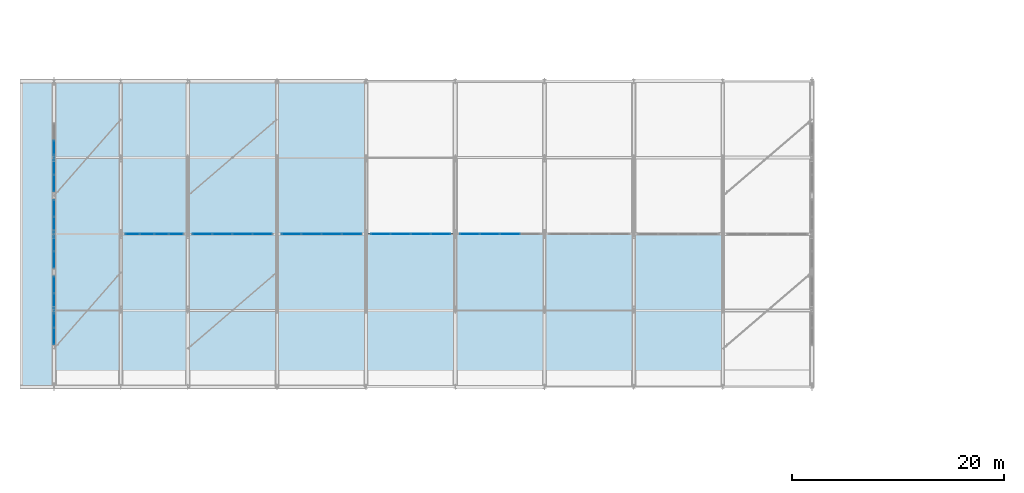
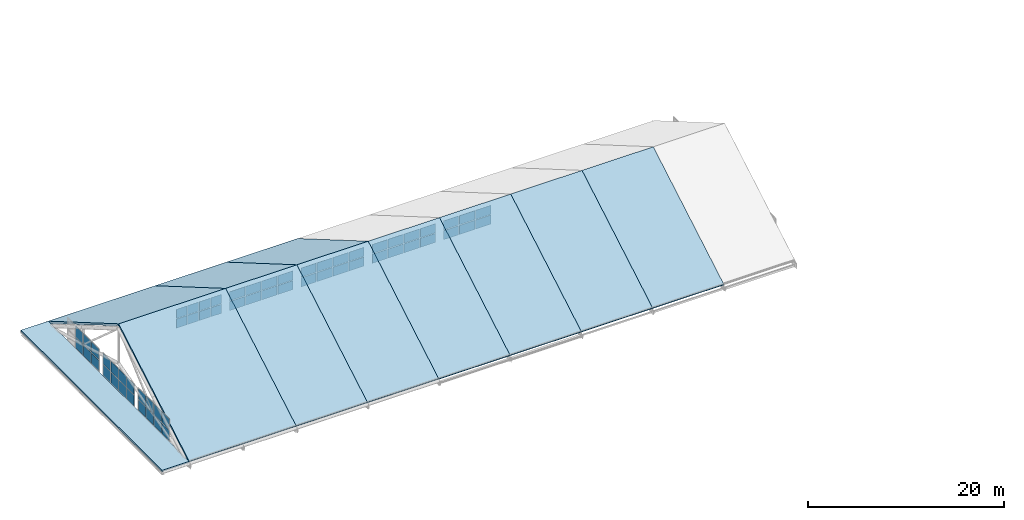
# One storey, part 38 of 54: 60 plates, 11 slabs, 8 elements without a shape of their own.
"""IFC4 building model written with IfcOpenShell, lengths in metres."""

from ifc_helpers import new_model, si_unit, direction, frame, origin, origin_2d, place, context, subcontext, project, spatial, polyline, rectangle, outline, extrude, material, layer, layer_set, type_object, element, aggregate, save


model = new_model("IFC4")

# Units and contexts
model_context = context("Model", 3, precision=1e-05, world=origin(), true_north=direction((0.0, 1.0)))
body_context = subcontext(model_context, "Body", "Model", "MODEL_VIEW")
ifc_project = project(units=[si_unit("LENGTHUNIT", "METRE"), si_unit("AREAUNIT", "SQUARE_METRE"), si_unit("VOLUMEUNIT", "CUBIC_METRE"), si_unit("PLANEANGLEUNIT", "RADIAN"), si_unit("MASSUNIT", "GRAM", prefix="KILO")], contexts=[model_context])

# Site, building, storey
site_placement = place(None, origin())
site = spatial("IfcSite", under=ifc_project, at=site_placement, CompositionType="ELEMENT")
building_placement = place(site_placement, origin())
building = spatial("IfcBuilding", under=site, at=building_placement, Name="Zulmaris Art Gallery", CompositionType="ELEMENT")
storey_placement = place(building_placement, frame((0.0, 0.0, 26.39990234375)))
storey = spatial("IfcBuildingStorey", under=building, at=storey_placement, Name="L05", CompositionType="ELEMENT", Elevation=26.39990234375)

# Curtain wall, plates
ifc_material_1 = material(Name="Pitched Roof North-Light Clerestory Wall", Category="aluminium")
ifc_layer_1 = layer(ifc_material_1, 0.179931640625)
ifc_layer_set_1 = layer_set([ifc_layer_1], Name="Pitched Roof North-Light Clerestory Wall")
curtain_wall_type = type_object("IfcCurtainWallType", Name="CW-CW05", PredefinedType="NOTDEFINED", material=ifc_layer_set_1)
curtain_wall_1_placement = place(storey_placement, origin())
curtain_wall_1 = element("IfcCurtainWall", 1, at=curtain_wall_1_placement, inside=storey, type_object=curtain_wall_type, Name="L05 curtain wall 38", PredefinedType="NOTDEFINED")
ifc_material_2 = material(Name="Triple Solar-Control Laminated Glass", Category="glass")
ifc_layer_2 = layer(ifc_material_2, 0.035888671875)
ifc_layer_set_2 = layer_set([ifc_layer_2], Name="Triple Solar-Control Laminated Glass")
plate_type = type_object("IfcPlateType", Name="CWPAN-GLZ", PredefinedType="CURTAIN_PANEL", material=ifc_layer_set_2)
plate_1_placement = place(storey_placement, frame((11.39990234375, 26.38134765625, 0.0751953125), z_axis=(0.0, 0.0, 1.0), x_axis=(0.0, 1.0, 0.0)))
plate_1 = element("IfcPlate", 2, at=plate_1_placement, type_object=plate_type, Name="CW05 panel 1.1", PredefinedType="CURTAIN_PANEL", context=body_context, shape_type="SweptSolid", body=[
    extrude(rectangle(XDim=1.512451171875, YDim=0.031982421875, at=origin_2d()), origin(), (0.0, 0.0, 1.0), 1.33740234375),
])
plate_2_placement = place(storey_placement, frame((11.39990234375, 26.38134765625, 1.487548828125), z_axis=(0.0, 0.0, 1.0), x_axis=(0.0, 1.0, 0.0)))
plate_2 = element("IfcPlate", 3, at=plate_2_placement, type_object=plate_type, Name="CW05 panel 1.2", PredefinedType="CURTAIN_PANEL", context=body_context, shape_type="SweptSolid", body=[
    extrude(rectangle(XDim=1.512451171875, YDim=0.031982421875, at=origin_2d()), origin(), (0.0, 0.0, 1.0), 1.33740234375),
])
plate_3_placement = place(storey_placement, frame((11.39990234375, 27.987548828125, 0.0751953125), z_axis=(0.0, 0.0, 1.0), x_axis=(0.0, 1.0, 0.0)))
plate_3 = element("IfcPlate", 4, at=plate_3_placement, type_object=plate_type, Name="CW05 panel 2.1", PredefinedType="CURTAIN_PANEL", context=body_context, shape_type="SweptSolid", body=[
    extrude(rectangle(XDim=1.550048828125, YDim=0.031982421875, at=origin_2d()), origin(), (0.0, 0.0, 1.0), 1.33740234375),
])
plate_4_placement = place(storey_placement, frame((11.39990234375, 27.987548828125, 1.487548828125), z_axis=(0.0, 0.0, 1.0), x_axis=(0.0, 1.0, 0.0)))
plate_4 = element("IfcPlate", 5, at=plate_4_placement, type_object=plate_type, Name="CW05 panel 2.2", PredefinedType="CURTAIN_PANEL", context=body_context, shape_type="SweptSolid", body=[
    extrude(rectangle(XDim=1.550048828125, YDim=0.031982421875, at=origin_2d()), origin(), (0.0, 0.0, 1.0), 1.33740234375),
])
plate_5_placement = place(storey_placement, frame((11.39990234375, 29.612548828125, 0.0751953125), z_axis=(0.0, 0.0, 1.0), x_axis=(0.0, 1.0, 0.0)))
plate_5 = element("IfcPlate", 6, at=plate_5_placement, type_object=plate_type, Name="CW05 panel 3.1", PredefinedType="CURTAIN_PANEL", context=body_context, shape_type="SweptSolid", body=[
    extrude(rectangle(XDim=1.550048828125, YDim=0.031982421875, at=origin_2d()), origin(), (0.0, 0.0, 1.0), 1.33740234375),
])
plate_6_placement = place(storey_placement, frame((11.39990234375, 29.612548828125, 1.487548828125), z_axis=(0.0, 0.0, 1.0), x_axis=(0.0, 1.0, 0.0)))
plate_6 = element("IfcPlate", 7, at=plate_6_placement, type_object=plate_type, Name="CW05 panel 3.2", PredefinedType="CURTAIN_PANEL", context=body_context, shape_type="SweptSolid", body=[
    extrude(rectangle(XDim=1.550048828125, YDim=0.031982421875, at=origin_2d()), origin(), (0.0, 0.0, 1.0), 1.33740234375),
])
plate_7_placement = place(storey_placement, frame((11.39990234375, 31.21875, 0.0751953125), z_axis=(0.0, 0.0, 1.0), x_axis=(0.0, 1.0, 0.0)))
plate_7 = element("IfcPlate", 8, at=plate_7_placement, type_object=plate_type, Name="CW05 panel 4.1", PredefinedType="CURTAIN_PANEL", context=body_context, shape_type="SweptSolid", body=[
    extrude(rectangle(XDim=1.512451171875, YDim=0.031982421875, at=origin_2d()), origin(), (0.0, 0.0, 1.0), 1.33740234375),
])
plate_8_placement = place(storey_placement, frame((11.39990234375, 31.21875, 1.487548828125), z_axis=(0.0, 0.0, 1.0), x_axis=(0.0, 1.0, 0.0)))
plate_8 = element("IfcPlate", 9, at=plate_8_placement, type_object=plate_type, Name="CW05 panel 4.2", PredefinedType="CURTAIN_PANEL", context=body_context, shape_type="SweptSolid", body=[
    extrude(rectangle(XDim=1.512451171875, YDim=0.031982421875, at=origin_2d()), origin(), (0.0, 0.0, 1.0), 1.33740234375),
])
aggregate(curtain_wall_1, [plate_1, plate_2, plate_3, plate_4, plate_5, plate_6, plate_7, plate_8])

curtain_wall_2_placement = place(storey_placement, origin())
curtain_wall_2 = element("IfcCurtainWall", 10, at=curtain_wall_2_placement, inside=storey, type_object=curtain_wall_type, Name="L05 curtain wall 39", PredefinedType="NOTDEFINED")
plate_9_placement = place(storey_placement, frame((11.39990234375, 33.581298828125, 0.0751953125), z_axis=(0.0, 0.0, 1.0), x_axis=(0.0, 1.0, 0.0)))
plate_9 = element("IfcPlate", 11, at=plate_9_placement, type_object=plate_type, Name="CW05 panel 1.1", PredefinedType="CURTAIN_PANEL", context=body_context, shape_type="SweptSolid", body=[
    extrude(rectangle(XDim=1.512451171875, YDim=0.031982421875, at=origin_2d()), origin(), (0.0, 0.0, 1.0), 1.33740234375),
])
plate_10_placement = place(storey_placement, frame((11.39990234375, 33.581298828125, 1.487548828125), z_axis=(0.0, 0.0, 1.0), x_axis=(0.0, 1.0, 0.0)))
plate_10 = element("IfcPlate", 12, at=plate_10_placement, type_object=plate_type, Name="CW05 panel 1.2", PredefinedType="CURTAIN_PANEL", context=body_context, shape_type="SweptSolid", body=[
    extrude(rectangle(XDim=1.512451171875, YDim=0.031982421875, at=origin_2d()), origin(), (0.0, 0.0, 1.0), 1.33740234375),
])
plate_11_placement = place(storey_placement, frame((11.39990234375, 35.1875, 0.0751953125), z_axis=(0.0, 0.0, 1.0), x_axis=(0.0, 1.0, 0.0)))
plate_11 = element("IfcPlate", 13, at=plate_11_placement, type_object=plate_type, Name="CW05 panel 2.1", PredefinedType="CURTAIN_PANEL", context=body_context, shape_type="SweptSolid", body=[
    extrude(rectangle(XDim=1.550048828125, YDim=0.031982421875, at=origin_2d()), origin(), (0.0, 0.0, 1.0), 1.33740234375),
])
plate_12_placement = place(storey_placement, frame((11.39990234375, 35.1875, 1.487548828125), z_axis=(0.0, 0.0, 1.0), x_axis=(0.0, 1.0, 0.0)))
plate_12 = element("IfcPlate", 14, at=plate_12_placement, type_object=plate_type, Name="CW05 panel 2.2", PredefinedType="CURTAIN_PANEL", context=body_context, shape_type="SweptSolid", body=[
    extrude(rectangle(XDim=1.550048828125, YDim=0.031982421875, at=origin_2d()), origin(), (0.0, 0.0, 1.0), 1.33740234375),
])
plate_13_placement = place(storey_placement, frame((11.39990234375, 36.8125, 0.0751953125), z_axis=(0.0, 0.0, 1.0), x_axis=(0.0, 1.0, 0.0)))
plate_13 = element("IfcPlate", 15, at=plate_13_placement, type_object=plate_type, Name="CW05 panel 3.1", PredefinedType="CURTAIN_PANEL", context=body_context, shape_type="SweptSolid", body=[
    extrude(rectangle(XDim=1.550048828125, YDim=0.031982421875, at=origin_2d()), origin(), (0.0, 0.0, 1.0), 1.33740234375),
])
plate_14_placement = place(storey_placement, frame((11.39990234375, 36.8125, 1.487548828125), z_axis=(0.0, 0.0, 1.0), x_axis=(0.0, 1.0, 0.0)))
plate_14 = element("IfcPlate", 16, at=plate_14_placement, type_object=plate_type, Name="CW05 panel 3.2", PredefinedType="CURTAIN_PANEL", context=body_context, shape_type="SweptSolid", body=[
    extrude(rectangle(XDim=1.550048828125, YDim=0.031982421875, at=origin_2d()), origin(), (0.0, 0.0, 1.0), 1.33740234375),
])
plate_15_placement = place(storey_placement, frame((11.39990234375, 38.418701171875, 0.0751953125), z_axis=(0.0, 0.0, 1.0), x_axis=(0.0, 1.0, 0.0)))
plate_15 = element("IfcPlate", 17, at=plate_15_placement, type_object=plate_type, Name="CW05 panel 4.1", PredefinedType="CURTAIN_PANEL", context=body_context, shape_type="SweptSolid", body=[
    extrude(rectangle(XDim=1.512451171875, YDim=0.031982421875, at=origin_2d()), origin(), (0.0, 0.0, 1.0), 1.33740234375),
])
plate_16_placement = place(storey_placement, frame((11.39990234375, 38.418701171875, 1.487548828125), z_axis=(0.0, 0.0, 1.0), x_axis=(0.0, 1.0, 0.0)))
plate_16 = element("IfcPlate", 18, at=plate_16_placement, type_object=plate_type, Name="CW05 panel 4.2", PredefinedType="CURTAIN_PANEL", context=body_context, shape_type="SweptSolid", body=[
    extrude(rectangle(XDim=1.512451171875, YDim=0.031982421875, at=origin_2d()), origin(), (0.0, 0.0, 1.0), 1.33740234375),
])
aggregate(curtain_wall_2, [plate_9, plate_10, plate_11, plate_12, plate_13, plate_14, plate_15, plate_16])

curtain_wall_3_placement = place(storey_placement, origin())
curtain_wall_3 = element("IfcCurtainWall", 19, at=curtain_wall_3_placement, inside=storey, type_object=curtain_wall_type, Name="L05 curtain wall 40", PredefinedType="NOTDEFINED")
plate_17_placement = place(storey_placement, frame((11.39990234375, 40.78125, 0.0751953125), z_axis=(0.0, 0.0, 1.0), x_axis=(0.0, 1.0, 0.0)))
plate_17 = element("IfcPlate", 20, at=plate_17_placement, type_object=plate_type, Name="CW05 panel 1.1", PredefinedType="CURTAIN_PANEL", context=body_context, shape_type="SweptSolid", body=[
    extrude(rectangle(XDim=1.512451171875, YDim=0.031982421875, at=origin_2d()), origin(), (0.0, 0.0, 1.0), 1.33740234375),
])
plate_18_placement = place(storey_placement, frame((11.39990234375, 40.78125, 1.487548828125), z_axis=(0.0, 0.0, 1.0), x_axis=(0.0, 1.0, 0.0)))
plate_18 = element("IfcPlate", 21, at=plate_18_placement, type_object=plate_type, Name="CW05 panel 1.2", PredefinedType="CURTAIN_PANEL", context=body_context, shape_type="SweptSolid", body=[
    extrude(rectangle(XDim=1.512451171875, YDim=0.031982421875, at=origin_2d()), origin(), (0.0, 0.0, 1.0), 1.33740234375),
])
plate_19_placement = place(storey_placement, frame((11.39990234375, 42.387451171875, 0.0751953125), z_axis=(0.0, 0.0, 1.0), x_axis=(0.0, 1.0, 0.0)))
plate_19 = element("IfcPlate", 22, at=plate_19_placement, type_object=plate_type, Name="CW05 panel 2.1", PredefinedType="CURTAIN_PANEL", context=body_context, shape_type="SweptSolid", body=[
    extrude(rectangle(XDim=1.550048828125, YDim=0.031982421875, at=origin_2d()), origin(), (0.0, 0.0, 1.0), 1.33740234375),
])
plate_20_placement = place(storey_placement, frame((11.39990234375, 42.387451171875, 1.487548828125), z_axis=(0.0, 0.0, 1.0), x_axis=(0.0, 1.0, 0.0)))
plate_20 = element("IfcPlate", 23, at=plate_20_placement, type_object=plate_type, Name="CW05 panel 2.2", PredefinedType="CURTAIN_PANEL", context=body_context, shape_type="SweptSolid", body=[
    extrude(rectangle(XDim=1.550048828125, YDim=0.031982421875, at=origin_2d()), origin(), (0.0, 0.0, 1.0), 1.33740234375),
])
plate_21_placement = place(storey_placement, frame((11.39990234375, 44.012451171875, 0.0751953125), z_axis=(0.0, 0.0, 1.0), x_axis=(0.0, 1.0, 0.0)))
plate_21 = element("IfcPlate", 24, at=plate_21_placement, type_object=plate_type, Name="CW05 panel 3.1", PredefinedType="CURTAIN_PANEL", context=body_context, shape_type="SweptSolid", body=[
    extrude(rectangle(XDim=1.550048828125, YDim=0.031982421875, at=origin_2d()), origin(), (0.0, 0.0, 1.0), 1.33740234375),
])
plate_22_placement = place(storey_placement, frame((11.39990234375, 44.012451171875, 1.487548828125), z_axis=(0.0, 0.0, 1.0), x_axis=(0.0, 1.0, 0.0)))
plate_22 = element("IfcPlate", 25, at=plate_22_placement, type_object=plate_type, Name="CW05 panel 3.2", PredefinedType="CURTAIN_PANEL", context=body_context, shape_type="SweptSolid", body=[
    extrude(rectangle(XDim=1.550048828125, YDim=0.031982421875, at=origin_2d()), origin(), (0.0, 0.0, 1.0), 1.33740234375),
])
aggregate(curtain_wall_3, [plate_17, plate_18, plate_19, plate_20, plate_21, plate_22])

curtain_wall_4_placement = place(storey_placement, origin())
curtain_wall_4 = element("IfcCurtainWall", 26, at=curtain_wall_4_placement, inside=storey, type_object=curtain_wall_type, Name="L05 curtain wall 44", PredefinedType="NOTDEFINED")
plate_23_placement = place(storey_placement, frame((18.80615234375, 36.0, 5.47509765625), z_axis=(0.0, 0.0, 1.0), x_axis=(1.0, 0.0, 0.0)))
plate_23 = element("IfcPlate", 27, at=plate_23_placement, type_object=plate_type, Name="CW05 panel 1.1", PredefinedType="CURTAIN_PANEL", context=body_context, shape_type="SweptSolid", body=[
    extrude(rectangle(XDim=1.262451171875, YDim=0.031982421875, at=origin_2d()), origin(), (0.0, 0.0, 1.0), 1.137451171875),
])
plate_24_placement = place(storey_placement, frame((18.80615234375, 36.0, 6.6875), z_axis=(0.0, 0.0, 1.0), x_axis=(1.0, 0.0, 0.0)))
plate_24 = element("IfcPlate", 28, at=plate_24_placement, type_object=plate_type, Name="CW05 panel 1.2", PredefinedType="CURTAIN_PANEL", context=body_context, shape_type="SweptSolid", body=[
    extrude(rectangle(XDim=1.262451171875, YDim=0.031982421875, at=origin_2d()), origin(), (0.0, 0.0, 1.0), 1.137451171875),
])
plate_25_placement = place(storey_placement, frame((20.16259765625, 36.0, 5.47509765625), z_axis=(0.0, 0.0, 1.0), x_axis=(1.0, 0.0, 0.0)))
plate_25 = element("IfcPlate", 29, at=plate_25_placement, type_object=plate_type, Name="CW05 panel 2.1", PredefinedType="CURTAIN_PANEL", context=body_context, shape_type="SweptSolid", body=[
    extrude(rectangle(XDim=1.300048828125, YDim=0.031982421875, at=origin_2d()), origin(), (0.0, 0.0, 1.0), 1.137451171875),
])
plate_26_placement = place(storey_placement, frame((20.16259765625, 36.0, 6.6875), z_axis=(0.0, 0.0, 1.0), x_axis=(1.0, 0.0, 0.0)))
plate_26 = element("IfcPlate", 30, at=plate_26_placement, type_object=plate_type, Name="CW05 panel 2.2", PredefinedType="CURTAIN_PANEL", context=body_context, shape_type="SweptSolid", body=[
    extrude(rectangle(XDim=1.300048828125, YDim=0.031982421875, at=origin_2d()), origin(), (0.0, 0.0, 1.0), 1.137451171875),
])
plate_27_placement = place(storey_placement, frame((21.53759765625, 36.0, 5.47509765625), z_axis=(0.0, 0.0, 1.0), x_axis=(1.0, 0.0, 0.0)))
plate_27 = element("IfcPlate", 31, at=plate_27_placement, type_object=plate_type, Name="CW05 panel 3.1", PredefinedType="CURTAIN_PANEL", context=body_context, shape_type="SweptSolid", body=[
    extrude(rectangle(XDim=1.300048828125, YDim=0.031982421875, at=origin_2d()), origin(), (0.0, 0.0, 1.0), 1.137451171875),
])
plate_28_placement = place(storey_placement, frame((21.53759765625, 36.0, 6.6875), z_axis=(0.0, 0.0, 1.0), x_axis=(1.0, 0.0, 0.0)))
plate_28 = element("IfcPlate", 32, at=plate_28_placement, type_object=plate_type, Name="CW05 panel 3.2", PredefinedType="CURTAIN_PANEL", context=body_context, shape_type="SweptSolid", body=[
    extrude(rectangle(XDim=1.300048828125, YDim=0.031982421875, at=origin_2d()), origin(), (0.0, 0.0, 1.0), 1.137451171875),
])
plate_29_placement = place(storey_placement, frame((22.893798828125, 36.0, 5.47509765625), z_axis=(0.0, 0.0, 1.0), x_axis=(1.0, 0.0, 0.0)))
plate_29 = element("IfcPlate", 33, at=plate_29_placement, type_object=plate_type, Name="CW05 panel 4.1", PredefinedType="CURTAIN_PANEL", context=body_context, shape_type="SweptSolid", body=[
    extrude(rectangle(XDim=1.262451171875, YDim=0.031982421875, at=origin_2d()), origin(), (0.0, 0.0, 1.0), 1.137451171875),
])
plate_30_placement = place(storey_placement, frame((22.893798828125, 36.0, 6.6875), z_axis=(0.0, 0.0, 1.0), x_axis=(1.0, 0.0, 0.0)))
plate_30 = element("IfcPlate", 34, at=plate_30_placement, type_object=plate_type, Name="CW05 panel 4.2", PredefinedType="CURTAIN_PANEL", context=body_context, shape_type="SweptSolid", body=[
    extrude(rectangle(XDim=1.262451171875, YDim=0.031982421875, at=origin_2d()), origin(), (0.0, 0.0, 1.0), 1.137451171875),
])
aggregate(curtain_wall_4, [plate_23, plate_24, plate_25, plate_26, plate_27, plate_28, plate_29, plate_30])

curtain_wall_5_placement = place(storey_placement, origin())
curtain_wall_5 = element("IfcCurtainWall", 35, at=curtain_wall_5_placement, inside=storey, type_object=curtain_wall_type, Name="L05 curtain wall 45", PredefinedType="NOTDEFINED")
plate_31_placement = place(storey_placement, frame((25.36865234375, 36.0, 5.47509765625), z_axis=(0.0, 0.0, 1.0), x_axis=(1.0, 0.0, 0.0)))
plate_31 = element("IfcPlate", 36, at=plate_31_placement, type_object=plate_type, Name="CW05 panel 1.1", PredefinedType="CURTAIN_PANEL", context=body_context, shape_type="SweptSolid", body=[
    extrude(rectangle(XDim=1.78759765625, YDim=0.031982421875, at=origin_2d()), origin(), (0.0, 0.0, 1.0), 1.137451171875),
])
plate_32_placement = place(storey_placement, frame((25.36865234375, 36.0, 6.6875), z_axis=(0.0, 0.0, 1.0), x_axis=(1.0, 0.0, 0.0)))
plate_32 = element("IfcPlate", 37, at=plate_32_placement, type_object=plate_type, Name="CW05 panel 1.2", PredefinedType="CURTAIN_PANEL", context=body_context, shape_type="SweptSolid", body=[
    extrude(rectangle(XDim=1.78759765625, YDim=0.031982421875, at=origin_2d()), origin(), (0.0, 0.0, 1.0), 1.137451171875),
])
plate_33_placement = place(storey_placement, frame((27.25, 36.0, 5.47509765625), z_axis=(0.0, 0.0, 1.0), x_axis=(1.0, 0.0, 0.0)))
plate_33 = element("IfcPlate", 38, at=plate_33_placement, type_object=plate_type, Name="CW05 panel 2.1", PredefinedType="CURTAIN_PANEL", context=body_context, shape_type="SweptSolid", body=[
    extrude(rectangle(XDim=1.824951171875, YDim=0.031982421875, at=origin_2d()), origin(), (0.0, 0.0, 1.0), 1.137451171875),
])
plate_34_placement = place(storey_placement, frame((27.25, 36.0, 6.6875), z_axis=(0.0, 0.0, 1.0), x_axis=(1.0, 0.0, 0.0)))
plate_34 = element("IfcPlate", 39, at=plate_34_placement, type_object=plate_type, Name="CW05 panel 2.2", PredefinedType="CURTAIN_PANEL", context=body_context, shape_type="SweptSolid", body=[
    extrude(rectangle(XDim=1.824951171875, YDim=0.031982421875, at=origin_2d()), origin(), (0.0, 0.0, 1.0), 1.137451171875),
])
plate_35_placement = place(storey_placement, frame((29.14990234375, 36.0, 5.47509765625), z_axis=(0.0, 0.0, 1.0), x_axis=(1.0, 0.0, 0.0)))
plate_35 = element("IfcPlate", 40, at=plate_35_placement, type_object=plate_type, Name="CW05 panel 3.1", PredefinedType="CURTAIN_PANEL", context=body_context, shape_type="SweptSolid", body=[
    extrude(rectangle(XDim=1.824951171875, YDim=0.031982421875, at=origin_2d()), origin(), (0.0, 0.0, 1.0), 1.137451171875),
])
plate_36_placement = place(storey_placement, frame((29.14990234375, 36.0, 6.6875), z_axis=(0.0, 0.0, 1.0), x_axis=(1.0, 0.0, 0.0)))
plate_36 = element("IfcPlate", 41, at=plate_36_placement, type_object=plate_type, Name="CW05 panel 3.2", PredefinedType="CURTAIN_PANEL", context=body_context, shape_type="SweptSolid", body=[
    extrude(rectangle(XDim=1.824951171875, YDim=0.031982421875, at=origin_2d()), origin(), (0.0, 0.0, 1.0), 1.137451171875),
])
plate_37_placement = place(storey_placement, frame((31.03125, 36.0, 5.47509765625), z_axis=(0.0, 0.0, 1.0), x_axis=(1.0, 0.0, 0.0)))
plate_37 = element("IfcPlate", 42, at=plate_37_placement, type_object=plate_type, Name="CW05 panel 4.1", PredefinedType="CURTAIN_PANEL", context=body_context, shape_type="SweptSolid", body=[
    extrude(rectangle(XDim=1.78759765625, YDim=0.031982421875, at=origin_2d()), origin(), (0.0, 0.0, 1.0), 1.137451171875),
])
plate_38_placement = place(storey_placement, frame((31.03125, 36.0, 6.6875), z_axis=(0.0, 0.0, 1.0), x_axis=(1.0, 0.0, 0.0)))
plate_38 = element("IfcPlate", 43, at=plate_38_placement, type_object=plate_type, Name="CW05 panel 4.2", PredefinedType="CURTAIN_PANEL", context=body_context, shape_type="SweptSolid", body=[
    extrude(rectangle(XDim=1.78759765625, YDim=0.031982421875, at=origin_2d()), origin(), (0.0, 0.0, 1.0), 1.137451171875),
])
aggregate(curtain_wall_5, [plate_31, plate_32, plate_33, plate_34, plate_35, plate_36, plate_37, plate_38])

curtain_wall_6_placement = place(storey_placement, origin())
curtain_wall_6 = element("IfcCurtainWall", 44, at=curtain_wall_6_placement, inside=storey, type_object=curtain_wall_type, Name="L05 curtain wall 46", PredefinedType="NOTDEFINED")
plate_39_placement = place(storey_placement, frame((33.768798828125, 36.0, 5.47509765625), z_axis=(0.0, 0.0, 1.0), x_axis=(1.0, 0.0, 0.0)))
plate_39 = element("IfcPlate", 45, at=plate_39_placement, type_object=plate_type, Name="CW05 panel 1.1", PredefinedType="CURTAIN_PANEL", context=body_context, shape_type="SweptSolid", body=[
    extrude(rectangle(XDim=1.78759765625, YDim=0.031982421875, at=origin_2d()), origin(), (0.0, 0.0, 1.0), 1.137451171875),
])
plate_40_placement = place(storey_placement, frame((33.768798828125, 36.0, 6.6875), z_axis=(0.0, 0.0, 1.0), x_axis=(1.0, 0.0, 0.0)))
plate_40 = element("IfcPlate", 46, at=plate_40_placement, type_object=plate_type, Name="CW05 panel 1.2", PredefinedType="CURTAIN_PANEL", context=body_context, shape_type="SweptSolid", body=[
    extrude(rectangle(XDim=1.78759765625, YDim=0.031982421875, at=origin_2d()), origin(), (0.0, 0.0, 1.0), 1.137451171875),
])
plate_41_placement = place(storey_placement, frame((35.64990234375, 36.0, 5.47509765625), z_axis=(0.0, 0.0, 1.0), x_axis=(1.0, 0.0, 0.0)))
plate_41 = element("IfcPlate", 47, at=plate_41_placement, type_object=plate_type, Name="CW05 panel 2.1", PredefinedType="CURTAIN_PANEL", context=body_context, shape_type="SweptSolid", body=[
    extrude(rectangle(XDim=1.824951171875, YDim=0.031982421875, at=origin_2d()), origin(), (0.0, 0.0, 1.0), 1.137451171875),
])
plate_42_placement = place(storey_placement, frame((35.64990234375, 36.0, 6.6875), z_axis=(0.0, 0.0, 1.0), x_axis=(1.0, 0.0, 0.0)))
plate_42 = element("IfcPlate", 48, at=plate_42_placement, type_object=plate_type, Name="CW05 panel 2.2", PredefinedType="CURTAIN_PANEL", context=body_context, shape_type="SweptSolid", body=[
    extrude(rectangle(XDim=1.824951171875, YDim=0.031982421875, at=origin_2d()), origin(), (0.0, 0.0, 1.0), 1.137451171875),
])
plate_43_placement = place(storey_placement, frame((37.550048828125, 36.0, 5.47509765625), z_axis=(0.0, 0.0, 1.0), x_axis=(1.0, 0.0, 0.0)))
plate_43 = element("IfcPlate", 49, at=plate_43_placement, type_object=plate_type, Name="CW05 panel 3.1", PredefinedType="CURTAIN_PANEL", context=body_context, shape_type="SweptSolid", body=[
    extrude(rectangle(XDim=1.824951171875, YDim=0.031982421875, at=origin_2d()), origin(), (0.0, 0.0, 1.0), 1.137451171875),
])
plate_44_placement = place(storey_placement, frame((37.550048828125, 36.0, 6.6875), z_axis=(0.0, 0.0, 1.0), x_axis=(1.0, 0.0, 0.0)))
plate_44 = element("IfcPlate", 50, at=plate_44_placement, type_object=plate_type, Name="CW05 panel 3.2", PredefinedType="CURTAIN_PANEL", context=body_context, shape_type="SweptSolid", body=[
    extrude(rectangle(XDim=1.824951171875, YDim=0.031982421875, at=origin_2d()), origin(), (0.0, 0.0, 1.0), 1.137451171875),
])
plate_45_placement = place(storey_placement, frame((39.43115234375, 36.0, 5.47509765625), z_axis=(0.0, 0.0, 1.0), x_axis=(1.0, 0.0, 0.0)))
plate_45 = element("IfcPlate", 51, at=plate_45_placement, type_object=plate_type, Name="CW05 panel 4.1", PredefinedType="CURTAIN_PANEL", context=body_context, shape_type="SweptSolid", body=[
    extrude(rectangle(XDim=1.78759765625, YDim=0.031982421875, at=origin_2d()), origin(), (0.0, 0.0, 1.0), 1.137451171875),
])
plate_46_placement = place(storey_placement, frame((39.43115234375, 36.0, 6.6875), z_axis=(0.0, 0.0, 1.0), x_axis=(1.0, 0.0, 0.0)))
plate_46 = element("IfcPlate", 52, at=plate_46_placement, type_object=plate_type, Name="CW05 panel 4.2", PredefinedType="CURTAIN_PANEL", context=body_context, shape_type="SweptSolid", body=[
    extrude(rectangle(XDim=1.78759765625, YDim=0.031982421875, at=origin_2d()), origin(), (0.0, 0.0, 1.0), 1.137451171875),
])
aggregate(curtain_wall_6, [plate_39, plate_40, plate_41, plate_42, plate_43, plate_44, plate_45, plate_46])

curtain_wall_7_placement = place(storey_placement, origin())
curtain_wall_7 = element("IfcCurtainWall", 53, at=curtain_wall_7_placement, inside=storey, type_object=curtain_wall_type, Name="L05 curtain wall 47", PredefinedType="NOTDEFINED")
plate_47_placement = place(storey_placement, frame((42.168701171875, 36.0, 5.47509765625), z_axis=(0.0, 0.0, 1.0), x_axis=(1.0, 0.0, 0.0)))
plate_47 = element("IfcPlate", 54, at=plate_47_placement, type_object=plate_type, Name="CW05 panel 1.1", PredefinedType="CURTAIN_PANEL", context=body_context, shape_type="SweptSolid", body=[
    extrude(rectangle(XDim=1.78759765625, YDim=0.031982421875, at=origin_2d()), origin(), (0.0, 0.0, 1.0), 1.137451171875),
])
plate_48_placement = place(storey_placement, frame((42.168701171875, 36.0, 6.6875), z_axis=(0.0, 0.0, 1.0), x_axis=(1.0, 0.0, 0.0)))
plate_48 = element("IfcPlate", 55, at=plate_48_placement, type_object=plate_type, Name="CW05 panel 1.2", PredefinedType="CURTAIN_PANEL", context=body_context, shape_type="SweptSolid", body=[
    extrude(rectangle(XDim=1.78759765625, YDim=0.031982421875, at=origin_2d()), origin(), (0.0, 0.0, 1.0), 1.137451171875),
])
plate_49_placement = place(storey_placement, frame((44.050048828125, 36.0, 5.47509765625), z_axis=(0.0, 0.0, 1.0), x_axis=(1.0, 0.0, 0.0)))
plate_49 = element("IfcPlate", 56, at=plate_49_placement, type_object=plate_type, Name="CW05 panel 2.1", PredefinedType="CURTAIN_PANEL", context=body_context, shape_type="SweptSolid", body=[
    extrude(rectangle(XDim=1.824951171875, YDim=0.031982421875, at=origin_2d()), origin(), (0.0, 0.0, 1.0), 1.137451171875),
])
plate_50_placement = place(storey_placement, frame((44.050048828125, 36.0, 6.6875), z_axis=(0.0, 0.0, 1.0), x_axis=(1.0, 0.0, 0.0)))
plate_50 = element("IfcPlate", 57, at=plate_50_placement, type_object=plate_type, Name="CW05 panel 2.2", PredefinedType="CURTAIN_PANEL", context=body_context, shape_type="SweptSolid", body=[
    extrude(rectangle(XDim=1.824951171875, YDim=0.031982421875, at=origin_2d()), origin(), (0.0, 0.0, 1.0), 1.137451171875),
])
plate_51_placement = place(storey_placement, frame((45.949951171875, 36.0, 5.47509765625), z_axis=(0.0, 0.0, 1.0), x_axis=(1.0, 0.0, 0.0)))
plate_51 = element("IfcPlate", 58, at=plate_51_placement, type_object=plate_type, Name="CW05 panel 3.1", PredefinedType="CURTAIN_PANEL", context=body_context, shape_type="SweptSolid", body=[
    extrude(rectangle(XDim=1.824951171875, YDim=0.031982421875, at=origin_2d()), origin(), (0.0, 0.0, 1.0), 1.137451171875),
])
plate_52_placement = place(storey_placement, frame((45.949951171875, 36.0, 6.6875), z_axis=(0.0, 0.0, 1.0), x_axis=(1.0, 0.0, 0.0)))
plate_52 = element("IfcPlate", 59, at=plate_52_placement, type_object=plate_type, Name="CW05 panel 3.2", PredefinedType="CURTAIN_PANEL", context=body_context, shape_type="SweptSolid", body=[
    extrude(rectangle(XDim=1.824951171875, YDim=0.031982421875, at=origin_2d()), origin(), (0.0, 0.0, 1.0), 1.137451171875),
])
plate_53_placement = place(storey_placement, frame((47.831298828125, 36.0, 5.47509765625), z_axis=(0.0, 0.0, 1.0), x_axis=(1.0, 0.0, 0.0)))
plate_53 = element("IfcPlate", 60, at=plate_53_placement, type_object=plate_type, Name="CW05 panel 4.1", PredefinedType="CURTAIN_PANEL", context=body_context, shape_type="SweptSolid", body=[
    extrude(rectangle(XDim=1.78759765625, YDim=0.031982421875, at=origin_2d()), origin(), (0.0, 0.0, 1.0), 1.137451171875),
])
plate_54_placement = place(storey_placement, frame((47.831298828125, 36.0, 6.6875), z_axis=(0.0, 0.0, 1.0), x_axis=(1.0, 0.0, 0.0)))
plate_54 = element("IfcPlate", 61, at=plate_54_placement, type_object=plate_type, Name="CW05 panel 4.2", PredefinedType="CURTAIN_PANEL", context=body_context, shape_type="SweptSolid", body=[
    extrude(rectangle(XDim=1.78759765625, YDim=0.031982421875, at=origin_2d()), origin(), (0.0, 0.0, 1.0), 1.137451171875),
])
aggregate(curtain_wall_7, [plate_47, plate_48, plate_49, plate_50, plate_51, plate_52, plate_53, plate_54])

curtain_wall_8_placement = place(storey_placement, origin())
curtain_wall_8 = element("IfcCurtainWall", 62, at=curtain_wall_8_placement, inside=storey, type_object=curtain_wall_type, Name="L05 curtain wall 48", PredefinedType="NOTDEFINED")
plate_55_placement = place(storey_placement, frame((50.56884765625, 36.0, 5.47509765625), z_axis=(0.0, 0.0, 1.0), x_axis=(1.0, 0.0, 0.0)))
plate_55 = element("IfcPlate", 63, at=plate_55_placement, type_object=plate_type, Name="CW05 panel 1.1", PredefinedType="CURTAIN_PANEL", context=body_context, shape_type="SweptSolid", body=[
    extrude(rectangle(XDim=1.78759765625, YDim=0.031982421875, at=origin_2d()), origin(), (0.0, 0.0, 1.0), 1.137451171875),
])
plate_56_placement = place(storey_placement, frame((50.56884765625, 36.0, 6.6875), z_axis=(0.0, 0.0, 1.0), x_axis=(1.0, 0.0, 0.0)))
plate_56 = element("IfcPlate", 64, at=plate_56_placement, type_object=plate_type, Name="CW05 panel 1.2", PredefinedType="CURTAIN_PANEL", context=body_context, shape_type="SweptSolid", body=[
    extrude(rectangle(XDim=1.78759765625, YDim=0.031982421875, at=origin_2d()), origin(), (0.0, 0.0, 1.0), 1.137451171875),
])
plate_57_placement = place(storey_placement, frame((52.449951171875, 36.0, 5.47509765625), z_axis=(0.0, 0.0, 1.0), x_axis=(1.0, 0.0, 0.0)))
plate_57 = element("IfcPlate", 65, at=plate_57_placement, type_object=plate_type, Name="CW05 panel 2.1", PredefinedType="CURTAIN_PANEL", context=body_context, shape_type="SweptSolid", body=[
    extrude(rectangle(XDim=1.824951171875, YDim=0.031982421875, at=origin_2d()), origin(), (0.0, 0.0, 1.0), 1.137451171875),
])
plate_58_placement = place(storey_placement, frame((52.449951171875, 36.0, 6.6875), z_axis=(0.0, 0.0, 1.0), x_axis=(1.0, 0.0, 0.0)))
plate_58 = element("IfcPlate", 66, at=plate_58_placement, type_object=plate_type, Name="CW05 panel 2.2", PredefinedType="CURTAIN_PANEL", context=body_context, shape_type="SweptSolid", body=[
    extrude(rectangle(XDim=1.824951171875, YDim=0.031982421875, at=origin_2d()), origin(), (0.0, 0.0, 1.0), 1.137451171875),
])
plate_59_placement = place(storey_placement, frame((54.35009765625, 36.0, 5.47509765625), z_axis=(0.0, 0.0, 1.0), x_axis=(1.0, 0.0, 0.0)))
plate_59 = element("IfcPlate", 67, at=plate_59_placement, type_object=plate_type, Name="CW05 panel 3.1", PredefinedType="CURTAIN_PANEL", context=body_context, shape_type="SweptSolid", body=[
    extrude(rectangle(XDim=1.824951171875, YDim=0.031982421875, at=origin_2d()), origin(), (0.0, 0.0, 1.0), 1.137451171875),
])
plate_60_placement = place(storey_placement, frame((54.35009765625, 36.0, 6.6875), z_axis=(0.0, 0.0, 1.0), x_axis=(1.0, 0.0, 0.0)))
plate_60 = element("IfcPlate", 68, at=plate_60_placement, type_object=plate_type, Name="CW05 panel 3.2", PredefinedType="CURTAIN_PANEL", context=body_context, shape_type="SweptSolid", body=[
    extrude(rectangle(XDim=1.824951171875, YDim=0.031982421875, at=origin_2d()), origin(), (0.0, 0.0, 1.0), 1.137451171875),
])
aggregate(curtain_wall_8, [plate_55, plate_56, plate_57, plate_58, plate_59, plate_60])

# Slabs
ifc_material_3 = material(Name="Concrete C40/50", Category="concrete")
ifc_layer_3 = layer(ifc_material_3, 0.219970703125)
ifc_layer_set_3 = layer_set([ifc_layer_3], Name="Concrete C40/50")
slab_type_1 = type_object("IfcSlabType", Name="SLAB-SL-RF02", PredefinedType="ROOF", material=ifc_layer_set_3)
for number, where, z_axis, x_axis, name in (
    (69, (11.39990234375, 21.60009765625, 0.0), (0.0, -0.503880131008, 0.863773589302), (1.0, 0.0, 0.0), "V1 South Pitched Skylight Roof Bay 1"),
    (70, (11.39990234375, 36.0, 8.400146484375), (0.0, 0.503880131008, 0.863773589302), (1.0, 0.0, 0.0), "V1 North Pitched Skylight Roof Bay 1"),
):
    element("IfcSlab", number, at=place(storey_placement, frame(where, z_axis=z_axis, x_axis=x_axis)), inside=storey, type_object=slab_type_1, Name=name, PredefinedType="ROOF", context=body_context, shape_type="SweptSolid", body=[
        extrude(outline(polyline([(0.0, 0.0), (12.60009765625, 0.0), (12.60009765625, 16.67092224408999), (0.0, 16.67092224408999), (0.0, 0.0)])), origin(), (0.0, 0.0, -1.0), 0.219970703125),
    ])
for number, where, z_axis, x_axis, name in (
    (71, (24.0, 21.60009765625, 0.0), (0.0, -0.503880131008, 0.863773589302), (1.0, 0.0, 0.0), "V1 South Pitched Skylight Roof Bay 2"),
    (72, (24.0, 36.0, 8.400146484375), (0.0, 0.503880131008, 0.863773589302), (1.0, 0.0, 0.0), "V1 North Pitched Skylight Roof Bay 2"),
):
    element("IfcSlab", number, at=place(storey_placement, frame(where, z_axis=z_axis, x_axis=x_axis)), inside=storey, type_object=slab_type_1, Name=name, PredefinedType="ROOF", context=body_context, shape_type="SweptSolid", body=[
        extrude(outline(polyline([(0.0, 0.0), (8.39990234375, 0.0), (8.39990234375, 16.670922244089986), (0.0, 16.670922244089986), (0.0, 0.0)])), origin(), (0.0, 0.0, -1.0), 0.219970703125),
    ])
for number, where, z_axis, x_axis, name in (
    (73, (32.39990234375, 21.60009765625, 0.0), (0.0, -0.503880131008, 0.863773589302), (1.0, 0.0, 0.0), "V1 South Pitched Skylight Roof Bay 3"),
    (74, (32.39990234375, 36.0, 8.400146484375), (0.0, 0.503880131008, 0.863773589302), (1.0, 0.0, 0.0), "V1 North Pitched Skylight Roof Bay 3"),
):
    element("IfcSlab", number, at=place(storey_placement, frame(where, z_axis=z_axis, x_axis=x_axis)), inside=storey, type_object=slab_type_1, Name=name, PredefinedType="ROOF", context=body_context, shape_type="SweptSolid", body=[
        extrude(outline(polyline([(0.0, 0.0), (8.400146484375, 0.0), (8.400146484375, 16.67092224408999), (0.0, 16.67092224408999), (0.0, 0.0)])), origin(), (0.0, 0.0, -1.0), 0.219970703125),
    ])
slab_1_placement = place(storey_placement, frame((40.800048828125, 21.60009765625, 0.0), z_axis=(0.0, -0.503880131008, 0.863773589302), x_axis=(1.0, 0.0, 0.0)))
element("IfcSlab", 75, at=slab_1_placement, inside=storey, type_object=slab_type_1, Name="V1 South Pitched Skylight Roof Bay 4", PredefinedType="ROOF", context=body_context, shape_type="SweptSolid", body=[
    extrude(outline(polyline([(0.0, 0.0), (8.39990234375, 0.0), (8.39990234375, 16.670922244089986), (0.0, 16.670922244089986), (0.0, 0.0)])), origin(), (0.0, 0.0, -1.0), 0.219970703125),
])
slab_2_placement = place(storey_placement, frame((49.199951171875, 21.60009765625, 0.0), z_axis=(0.0, -0.503880131008, 0.863773589302), x_axis=(1.0, 0.0, 0.0)))
element("IfcSlab", 76, at=slab_2_placement, inside=storey, type_object=slab_type_1, Name="V1 South Pitched Skylight Roof Bay 5", PredefinedType="ROOF", context=body_context, shape_type="SweptSolid", body=[
    extrude(outline(polyline([(0.0, 0.0), (8.400146484375, 0.0), (8.400146484375, 16.67092224408999), (0.0, 16.67092224408999), (0.0, 0.0)])), origin(), (0.0, 0.0, -1.0), 0.219970703125),
])
for number, where, z_axis, x_axis, name in (
    (77, (57.60009765625, 21.60009765625, 0.0), (0.0, -0.503880131008, 0.863773589302), (1.0, 0.0, 0.0), "V1 South Pitched Skylight Roof Bay 6"),
    (78, (66.0, 21.60009765625, 0.0), (0.0, -0.503880131008, 0.863773589302), (1.0, 0.0, 0.0), "V1 South Pitched Skylight Roof Bay 7"),
):
    element("IfcSlab", number, at=place(storey_placement, frame(where, z_axis=z_axis, x_axis=x_axis)), inside=storey, type_object=slab_type_1, Name=name, PredefinedType="ROOF", context=body_context, shape_type="SweptSolid", body=[
        extrude(outline(polyline([(0.0, 0.0), (8.39990234375, 0.0), (8.39990234375, 16.670922244089986), (0.0, 16.670922244089986), (0.0, 0.0)])), origin(), (0.0, 0.0, -1.0), 0.219970703125),
    ])
ifc_layer_4 = layer(ifc_material_3, 0.199951171875)
ifc_layer_set_4 = layer_set([ifc_layer_4], Name="Concrete C40/50")
slab_type_2 = type_object("IfcSlabType", Name="SLAB-SL-SUN01", PredefinedType="ROOF", material=ifc_layer_set_4)
slab_3_placement = place(storey_placement, frame((0.0, 0.0, -0.199951171875)))
element("IfcSlab", 79, at=slab_3_placement, inside=storey, type_object=slab_type_2, Name="L05 V1-SUNSHADE slab", PredefinedType="ROOF", context=body_context, shape_type="SweptSolid", body=[
    extrude(outline(polyline([(8.199951171875, 21.60009765625), (8.199951171875, 50.39990234375), (11.39990234375, 50.39990234375), (11.39990234375, 21.60009765625), (8.199951171875, 21.60009765625)])), origin(), (0.0, 0.0, 1.0), 0.199951171875),
])

save(model, "model.ifc")
